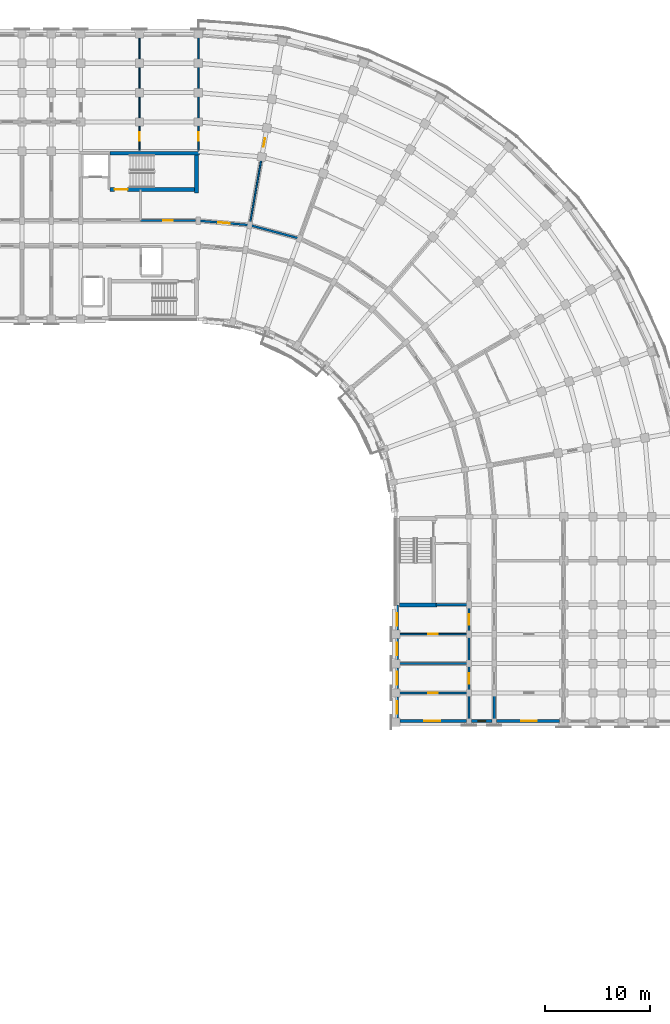
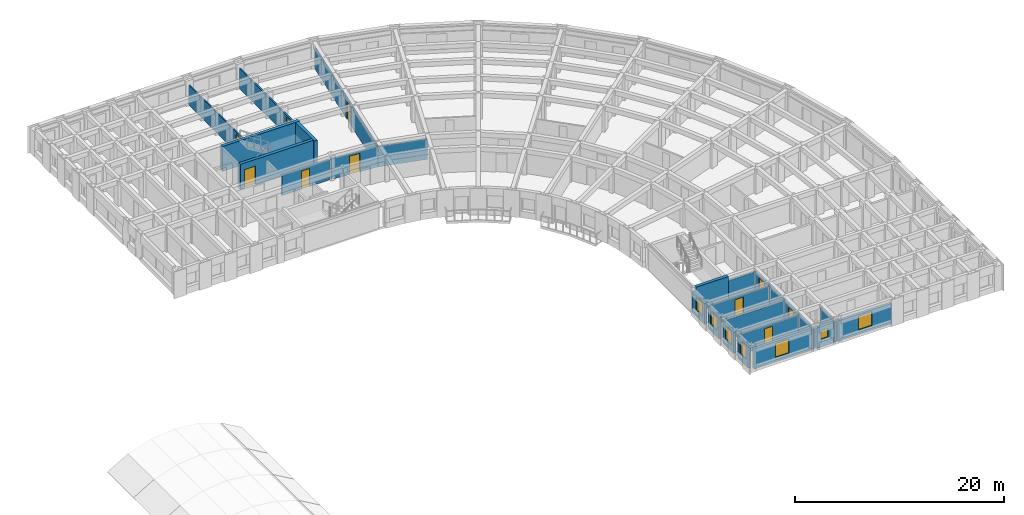
# One storey, part 30 of 54: 26 walls, 10 doors, 7 windows, 17 openings.
"""IFC4 building model written with IfcOpenShell, lengths in metres."""

from ifc_helpers import new_model, si_unit, direction, frame, frame_2d, origin, place, context, subcontext, project, spatial, rectangle, extrude, material, layer, layer_set, type_object, element, fill, save


model = new_model("IFC4")

# Units and contexts
model_context = context("Model", 3, precision=1e-05, world=origin(), true_north=direction((0.0, 1.0)))
body_context = subcontext(model_context, "Body", "Model", "MODEL_VIEW")
ifc_project = project(units=[si_unit("LENGTHUNIT", "METRE"), si_unit("AREAUNIT", "SQUARE_METRE"), si_unit("VOLUMEUNIT", "CUBIC_METRE"), si_unit("PLANEANGLEUNIT", "RADIAN"), si_unit("MASSUNIT", "GRAM", prefix="KILO")], contexts=[model_context])

# Site, building, storey
site_placement = place(None, origin())
site = spatial("IfcSite", under=ifc_project, at=site_placement, CompositionType="ELEMENT")
building_placement = place(site_placement, origin())
building = spatial("IfcBuilding", under=site, at=building_placement, Name="Kiranvali Square Residences", CompositionType="ELEMENT")
storey_placement = place(building_placement, frame((0.0, 0.0, 15.0)))
storey = spatial("IfcBuildingStorey", under=building, at=storey_placement, Name="L04", CompositionType="ELEMENT", Elevation=15.0)

# Wall, opening, door
ifc_material_1 = material(Name="Autoclaved aerated concrete blockwork masonry", Category="masonry")
ifc_layer_1 = layer(ifc_material_1, 0.199951171875)
ifc_layer_set_1 = layer_set([ifc_layer_1], Name="Autoclaved aerated concrete blockwork masonry")
wall_type_1 = type_object("IfcWallType", Name="WL-COR-200", PredefinedType="STANDARD", material=ifc_layer_set_1)
wall_1_placement = place(storey_placement, frame((119.800048828125, 116.0, 0.0), z_axis=(0.0, 0.0, 1.0), x_axis=(0.996193663584, -0.087167566415, 0.0)))
wall_1 = element("IfcWall", 1, at=wall_1_placement, inside=storey, type_object=wall_type_1, Name="L04 architectural wall WL-L04-B-CCO-0", PredefinedType="STANDARD", context=body_context, shape_type="SweptSolid", body=[
    extrude(rectangle(XDim=4.91552734375, YDim=0.199951171875, at=frame_2d((2.457763671875, 0.0))), origin(), (0.0, 0.0, 1.0), 2.3720703125),
])
opening_1_placement = place(wall_1_placement, frame((1.917724609375, 0.0, 0.0)))
opening_1 = element("IfcOpeningElement", 2, at=opening_1_placement, cuts=wall_1, Name="Opening FD-APT-60C", PredefinedType="OPENING", context=body_context, shape_type="SweptSolid", body=[
    extrude(rectangle(XDim=1.080078125, YDim=2.14990234375, at=frame_2d((0.5400390625, 1.074951171875))), frame((0.0, 0.10986328125, 0.0), z_axis=(0.0, -1.0, 0.0), x_axis=(1.0, 0.0, 0.0)), (0.0, 0.0, 1.0), 0.219970703125),
])
ifc_material_2 = material(Name="Fire-rated acoustic hardwood and mineral-core door assembly", Category="wood")
door_type_1 = type_object("IfcDoorType", Name="DR-APT-1080", OperationType="NOTDEFINED", PredefinedType="DOOR", material=ifc_material_2)
door_1_placement = place(opening_1_placement, frame((1.080078125, 0.0, 0.0), z_axis=(0.0, 0.0, 1.0), x_axis=(-1.0, 0.0, 0.0)))
door_1 = element("IfcDoor", 3, at=door_1_placement, inside=storey, type_object=door_type_1, Name="L04 door DR-L04-1228 (DR-APT-1080)", OperationType="SINGLE_SWING_RIGHT", OverallHeight=2.14990234375, OverallWidth=1.080078125, PredefinedType="DOOR", context=body_context, shape_type="SweptSolid", body=[
    extrude(rectangle(XDim=1.080078125, YDim=2.14990234375, at=frame_2d((0.5400390625, 1.074951171875))), frame((0.0, 0.02490234375, 0.0), z_axis=(0.0, -1.0, 0.0), x_axis=(1.0, 0.0, 0.0)), (0.0, 0.0, 1.0), 0.050048828125),
])
fill(opening_1, door_1)

# Wall
wall_2_placement = place(storey_placement, frame((124.69677734375, 115.571533203125, 0.0), z_axis=(0.0, 0.0, 1.0), x_axis=(0.965930095386, -0.258803112091, 0.0)))
element("IfcWall", 4, at=wall_2_placement, inside=storey, type_object=wall_type_1, Name="L04 architectural wall WL-L04-B-CCO-1", PredefinedType="STANDARD", context=body_context, shape_type="SweptSolid", body=[
    extrude(rectangle(XDim=4.915771484375, YDim=0.199951171875, at=frame_2d((2.4580078125, 0.0))), origin(), (0.0, 0.0, 1.0), 2.3720703125),
])

# Wall, opening, door
wall_3_placement = place(storey_placement, frame((145.60009765625, 79.39990234375, 0.0), z_axis=(0.0, 0.0, 1.0), x_axis=(0.0, -1.0, 0.0)))
wall_3 = element("IfcWall", 5, at=wall_3_placement, inside=storey, type_object=wall_type_1, Name="L04 architectural wall WL-L04-B-A2CI-0", PredefinedType="STANDARD", context=body_context, shape_type="SweptSolid", body=[
    extrude(rectangle(XDim=2.7998046875, YDim=0.199951171875, at=frame_2d((1.39990234375, 0.0))), origin(), (0.0, 0.0, 1.0), 2.3720703125),
])
opening_2_placement = place(wall_3_placement, frame((0.89990234375, 0.0, 0.0)))
opening_2 = element("IfcOpeningElement", 6, at=opening_2_placement, cuts=wall_3, Name="Opening FD-APT-60", PredefinedType="OPENING", context=body_context, shape_type="SweptSolid", body=[
    extrude(rectangle(XDim=1.0, YDim=2.14990234375, at=frame_2d((0.5, 1.074951171875))), frame((0.0, 0.10986328125, 0.0), z_axis=(0.0, -1.0, 0.0), x_axis=(1.0, 0.0, 0.0)), (0.0, 0.0, 1.0), 0.219970703125),
])
door_type_2 = type_object("IfcDoorType", Name="DR-APT-1000", OperationType="NOTDEFINED", PredefinedType="DOOR", material=ifc_material_2)
door_2_placement = place(opening_2_placement, origin())
door_2 = element("IfcDoor", 7, at=door_2_placement, inside=storey, type_object=door_type_2, Name="L04 door DR-L04-1243 (DR-APT-1000)", OperationType="SINGLE_SWING_LEFT", OverallHeight=2.14990234375, OverallWidth=1.0, PredefinedType="DOOR", context=body_context, shape_type="SweptSolid", body=[
    extrude(rectangle(XDim=1.0, YDim=2.14990234375, at=frame_2d((0.5, 1.074951171875))), frame((0.0, 0.02490234375, 0.0), z_axis=(0.0, -1.0, 0.0), x_axis=(1.0, 0.0, 0.0)), (0.0, 0.0, 1.0), 0.050048828125),
])
fill(opening_2, door_2)

# Wall
wall_4_placement = place(storey_placement, frame((145.60009765625, 76.60009765625, 0.0), z_axis=(0.0, 0.0, 1.0), x_axis=(0.0, -1.0, 0.0)))
element("IfcWall", 8, at=wall_4_placement, inside=storey, type_object=wall_type_1, Name="L04 architectural wall WL-L04-B-A2CI-1", PredefinedType="STANDARD", context=body_context, shape_type="SweptSolid", body=[
    extrude(rectangle(XDim=2.800048828125, YDim=0.199951171875, at=frame_2d((1.39990234375, 0.0))), origin(), (0.0, 0.0, 1.0), 2.3720703125),
])

# Wall, opening, door
wall_5_placement = place(storey_placement, frame((145.60009765625, 73.800048828125, 0.0), z_axis=(0.0, 0.0, 1.0), x_axis=(0.0, -1.0, 0.0)))
wall_5 = element("IfcWall", 9, at=wall_5_placement, inside=storey, type_object=wall_type_1, Name="L04 architectural wall WL-L04-B-A2CI-2", PredefinedType="STANDARD", context=body_context, shape_type="SweptSolid", body=[
    extrude(rectangle(XDim=2.800048828125, YDim=0.199951171875, at=frame_2d((1.39990234375, 0.0))), origin(), (0.0, 0.0, 1.0), 2.3720703125),
])
opening_3_placement = place(wall_5_placement, frame((0.89990234375, 0.0, 0.0)))
opening_3 = element("IfcOpeningElement", 10, at=opening_3_placement, cuts=wall_5, Name="Opening FD-APT-60", PredefinedType="OPENING", context=body_context, shape_type="SweptSolid", body=[
    extrude(rectangle(XDim=1.0, YDim=2.14990234375, at=frame_2d((0.5, 1.074951171875))), frame((0.0, 0.10986328125, 0.0), z_axis=(0.0, -1.0, 0.0), x_axis=(1.0, 0.0, 0.0)), (0.0, 0.0, 1.0), 0.219970703125),
])
door_3_placement = place(opening_3_placement, origin())
door_3 = element("IfcDoor", 11, at=door_3_placement, inside=storey, type_object=door_type_2, Name="L04 door DR-L04-1249 (DR-APT-1000)", OperationType="SINGLE_SWING_LEFT", OverallHeight=2.14990234375, OverallWidth=1.0, PredefinedType="DOOR", context=body_context, shape_type="SweptSolid", body=[
    extrude(rectangle(XDim=1.0, YDim=2.14990234375, at=frame_2d((0.5, 1.074951171875))), frame((0.0, 0.02490234375, 0.0), z_axis=(0.0, -1.0, 0.0), x_axis=(1.0, 0.0, 0.0)), (0.0, 0.0, 1.0), 0.050048828125),
])
fill(opening_3, door_3)

# Walls
for number, where, z_axis, x_axis, name in (
    (12, (145.60009765625, 71.0, 0.0), (0.0, 0.0, 1.0), (0.0, -1.0, 0.0), "L04 architectural wall WL-L04-B-A2CI-3"),
    (13, (148.0, 71.0, 0.0), (0.0, 0.0, 1.0), (0.0, -1.0, 0.0), "L04 architectural wall WL-L04-B-A2CO-3"),
):
    element("IfcWall", number, at=place(storey_placement, frame(where, z_axis=z_axis, x_axis=x_axis)), inside=storey, type_object=wall_type_1, Name=name, PredefinedType="STANDARD", context=body_context, shape_type="SweptSolid", body=[
        extrude(rectangle(XDim=2.800048828125, YDim=0.199951171875, at=frame_2d((1.39990234375, 0.0))), origin(), (0.0, 0.0, 1.0), 2.3720703125),
    ])
ifc_layer_2 = layer(ifc_material_1, 0.219970703125)
ifc_layer_set_2 = layer_set([ifc_layer_2], Name="Autoclaved aerated concrete blockwork masonry")
wall_type_2 = type_object("IfcWallType", Name="WL-DEM-220", PredefinedType="STANDARD", material=ifc_layer_set_2)
wall_6_placement = place(storey_placement, frame((142.449951171875, 79.39990234375, 0.0), z_axis=(0.0, 0.0, 1.0), x_axis=(1.0, 0.0, 0.0)))
element("IfcWall", 14, at=wall_6_placement, inside=storey, type_object=wall_type_2, Name="L04 architectural wall WL-L04-B-A2TI-0", PredefinedType="STANDARD", context=body_context, shape_type="SweptSolid", body=[
    extrude(rectangle(XDim=3.10009765625, YDim=0.219970703125, at=frame_2d((1.550048828125, 0.0))), origin(), (0.0, 0.0, 1.0), 2.3720703125),
])
wall_7_placement = place(storey_placement, frame((138.800048828125, 73.800048828125, 0.0), z_axis=(0.0, 0.0, 1.0), x_axis=(1.0, 0.0, 0.0)))
element("IfcWall", 15, at=wall_7_placement, inside=storey, type_object=wall_type_2, Name="L04 architectural wall WL-L04-B-A2TI-2", PredefinedType="STANDARD", context=body_context, shape_type="SweptSolid", body=[
    extrude(rectangle(XDim=6.75, YDim=0.219970703125, at=frame_2d((3.375, 0.0))), origin(), (0.0, 0.0, 1.0), 2.3720703125),
])

# Wall, opening, window
ifc_material_3 = material(Name="Breathable lime-rendered clay brick masonry", Category="masonry")
ifc_layer_3 = layer(ifc_material_3, 0.27490234375)
ifc_layer_set_3 = layer_set([ifc_layer_3], Name="Breathable lime-rendered clay brick masonry")
wall_type_3 = type_object("IfcWallType", Name="WL-EXT-275", PredefinedType="STANDARD", material=ifc_layer_set_3)
wall_8_placement = place(storey_placement, frame((138.72509765625, 79.37158203125, 0.0), z_axis=(0.0, 0.0, 1.0), x_axis=(0.0, -1.0, 0.0)))
wall_8 = element("IfcWall", 16, at=wall_8_placement, inside=storey, type_object=wall_type_3, Name="L04 exterior wall B-L04-A2I-0", PredefinedType="STANDARD", context=body_context, shape_type="SweptSolid", body=[
    extrude(rectangle(XDim=2.3681640625, YDim=0.27490234375, at=frame_2d((1.18408203125, 0.0))), origin(), (0.0, 0.0, 1.0), 2.471923828125),
])
opening_4_placement = place(wall_8_placement, frame((0.771484375, 0.0, 0.77197265625)))
opening_4 = element("IfcOpeningElement", 17, at=opening_4_placement, cuts=wall_8, Name="Opening W-06", PredefinedType="OPENING", context=body_context, shape_type="SweptSolid", body=[
    extrude(rectangle(XDim=1.199951171875, YDim=1.5, at=frame_2d((0.60009765625, 0.75))), frame((0.0, 0.1474609375, 0.0), z_axis=(0.0, -1.0, 0.0), x_axis=(1.0, 0.0, 0.0)), (0.0, 0.0, 1.0), 0.294921875),
])
ifc_material_4 = material(Name="Solar-control low-e double glazing", Category="glass")
window_type_1 = type_object("IfcWindowType", Name="WIN-RES-1200x1500", PartitioningType="SINGLE_PANEL", PredefinedType="WINDOW", material=ifc_material_4)
window_1_placement = place(opening_4_placement, origin())
window_1 = element("IfcWindow", 18, at=window_1_placement, inside=storey, type_object=window_type_1, Name="L04 recessed window B-L04-A2I-0", OverallHeight=1.5, OverallWidth=1.199951171875, PartitioningType="SINGLE_PANEL", PredefinedType="WINDOW", context=body_context, shape_type="SweptSolid", body=[
    extrude(rectangle(XDim=1.199951171875, YDim=1.5, at=frame_2d((0.60009765625, 0.75))), frame((0.0, 0.030029296875, 0.0), z_axis=(0.0, -1.0, 0.0), x_axis=(1.0, 0.0, 0.0)), (0.0, 0.0, 1.0), 0.06005859375),
])
fill(opening_4, window_1)

wall_9_placement = place(storey_placement, frame((138.72509765625, 76.196533203125, 0.0), z_axis=(0.0, 0.0, 1.0), x_axis=(0.0, -1.0, 0.0)))
wall_9 = element("IfcWall", 19, at=wall_9_placement, inside=storey, type_object=wall_type_3, Name="L04 exterior wall B-L04-A2I-1", PredefinedType="STANDARD", context=body_context, shape_type="SweptSolid", body=[
    extrude(rectangle(XDim=1.992919921875, YDim=0.27490234375, at=frame_2d((0.99658203125, 0.0))), origin(), (0.0, 0.0, 1.0), 2.471923828125),
])
opening_5_placement = place(wall_9_placement, frame((0.396484375, 0.0, 0.77197265625)))
opening_5 = element("IfcOpeningElement", 20, at=opening_5_placement, cuts=wall_9, Name="Opening W-06", PredefinedType="OPENING", context=body_context, shape_type="SweptSolid", body=[
    extrude(rectangle(XDim=1.199951171875, YDim=1.5, at=frame_2d((0.60009765625, 0.75))), frame((0.0, 0.1474609375, 0.0), z_axis=(0.0, -1.0, 0.0), x_axis=(1.0, 0.0, 0.0)), (0.0, 0.0, 1.0), 0.294921875),
])
window_2_placement = place(opening_5_placement, origin())
window_2 = element("IfcWindow", 21, at=window_2_placement, inside=storey, type_object=window_type_1, Name="L04 recessed window B-L04-A2I-1", OverallHeight=1.5, OverallWidth=1.199951171875, PartitioningType="SINGLE_PANEL", PredefinedType="WINDOW", context=body_context, shape_type="SweptSolid", body=[
    extrude(rectangle(XDim=1.199951171875, YDim=1.5, at=frame_2d((0.60009765625, 0.75))), frame((0.0, 0.030029296875, 0.0), z_axis=(0.0, -1.0, 0.0), x_axis=(1.0, 0.0, 0.0)), (0.0, 0.0, 1.0), 0.06005859375),
])
fill(opening_5, window_2)

wall_10_placement = place(storey_placement, frame((138.72509765625, 73.396484375, 0.0), z_axis=(0.0, 0.0, 1.0), x_axis=(0.0, -1.0, 0.0)))
wall_10 = element("IfcWall", 22, at=wall_10_placement, inside=storey, type_object=wall_type_3, Name="L04 exterior wall B-L04-A2I-2", PredefinedType="STANDARD", context=body_context, shape_type="SweptSolid", body=[
    extrude(rectangle(XDim=1.992919921875, YDim=0.27490234375, at=frame_2d((0.99658203125, 0.0))), origin(), (0.0, 0.0, 1.0), 2.471923828125),
])
opening_6_placement = place(wall_10_placement, frame((0.396484375, 0.0, 0.77197265625)))
opening_6 = element("IfcOpeningElement", 23, at=opening_6_placement, cuts=wall_10, Name="Opening W-06", PredefinedType="OPENING", context=body_context, shape_type="SweptSolid", body=[
    extrude(rectangle(XDim=1.199951171875, YDim=1.5, at=frame_2d((0.60009765625, 0.75))), frame((0.0, 0.1474609375, 0.0), z_axis=(0.0, -1.0, 0.0), x_axis=(1.0, 0.0, 0.0)), (0.0, 0.0, 1.0), 0.294921875),
])
window_3_placement = place(opening_6_placement, origin())
window_3 = element("IfcWindow", 24, at=window_3_placement, inside=storey, type_object=window_type_1, Name="L04 recessed window B-L04-A2I-2", OverallHeight=1.5, OverallWidth=1.199951171875, PartitioningType="SINGLE_PANEL", PredefinedType="WINDOW", context=body_context, shape_type="SweptSolid", body=[
    extrude(rectangle(XDim=1.199951171875, YDim=1.5, at=frame_2d((0.60009765625, 0.75))), frame((0.0, 0.030029296875, 0.0), z_axis=(0.0, -1.0, 0.0), x_axis=(1.0, 0.0, 0.0)), (0.0, 0.0, 1.0), 0.06005859375),
])
fill(opening_6, window_3)

wall_11_placement = place(storey_placement, frame((138.72509765625, 70.596435546875, 0.0), z_axis=(0.0, 0.0, 1.0), x_axis=(0.0, -1.0, 0.0)))
wall_11 = element("IfcWall", 25, at=wall_11_placement, inside=storey, type_object=wall_type_3, Name="L04 exterior wall B-L04-A2I-3", PredefinedType="STANDARD", context=body_context, shape_type="SweptSolid", body=[
    extrude(rectangle(XDim=1.992919921875, YDim=0.27490234375, at=frame_2d((0.99658203125, 0.0))), origin(), (0.0, 0.0, 1.0), 2.471923828125),
])
opening_7_placement = place(wall_11_placement, frame((0.396484375, 0.0, 0.77197265625)))
opening_7 = element("IfcOpeningElement", 26, at=opening_7_placement, cuts=wall_11, Name="Opening W-06", PredefinedType="OPENING", context=body_context, shape_type="SweptSolid", body=[
    extrude(rectangle(XDim=1.199951171875, YDim=1.5, at=frame_2d((0.60009765625, 0.75))), frame((0.0, 0.1474609375, 0.0), z_axis=(0.0, -1.0, 0.0), x_axis=(1.0, 0.0, 0.0)), (0.0, 0.0, 1.0), 0.294921875),
])
window_4_placement = place(opening_7_placement, origin())
window_4 = element("IfcWindow", 27, at=window_4_placement, inside=storey, type_object=window_type_1, Name="L04 recessed window B-L04-A2I-3", OverallHeight=1.5, OverallWidth=1.199951171875, PartitioningType="SINGLE_PANEL", PredefinedType="WINDOW", context=body_context, shape_type="SweptSolid", body=[
    extrude(rectangle(XDim=1.199951171875, YDim=1.5, at=frame_2d((0.60009765625, 0.75))), frame((0.0, 0.030029296875, 0.0), z_axis=(0.0, -1.0, 0.0), x_axis=(1.0, 0.0, 0.0)), (0.0, 0.0, 1.0), 0.06005859375),
])
fill(opening_7, window_4)

wall_12_placement = place(storey_placement, frame((139.00341796875, 68.324951171875, 0.0), z_axis=(0.0, 0.0, 1.0), x_axis=(1.0, 0.0, 0.0)))
wall_12 = element("IfcWall", 28, at=wall_12_placement, inside=storey, type_object=wall_type_3, Name="L04 exterior wall B-L04-A2END-0", PredefinedType="STANDARD", context=body_context, shape_type="SweptSolid", body=[
    extrude(rectangle(XDim=6.3681640625, YDim=0.27490234375, at=frame_2d((3.18408203125, 0.0))), origin(), (0.0, 0.0, 1.0), 2.3720703125),
])
opening_8_placement = place(wall_12_placement, frame((2.346435546875, 0.0, 0.52197265625)))
opening_8 = element("IfcOpeningElement", 29, at=opening_8_placement, cuts=wall_12, Name="Opening W-05", PredefinedType="OPENING", context=body_context, shape_type="SweptSolid", body=[
    extrude(rectangle(XDim=1.5, YDim=1.64990234375, at=frame_2d((0.75, 0.824951171875))), frame((0.0, 0.1474609375, 0.0), z_axis=(0.0, -1.0, 0.0), x_axis=(1.0, 0.0, 0.0)), (0.0, 0.0, 1.0), 0.294921875),
])
window_type_2 = type_object("IfcWindowType", Name="WIN-RES-1500x1650", PartitioningType="DOUBLE_PANEL_VERTICAL", PredefinedType="WINDOW", material=ifc_material_4)
window_5_placement = place(opening_8_placement, origin())
window_5 = element("IfcWindow", 30, at=window_5_placement, inside=storey, type_object=window_type_2, Name="L04 recessed window B-L04-A2END-0", OverallHeight=1.64990234375, OverallWidth=1.5, PartitioningType="DOUBLE_PANEL_VERTICAL", PredefinedType="WINDOW", context=body_context, shape_type="SweptSolid", body=[
    extrude(rectangle(XDim=1.5, YDim=1.64990234375, at=frame_2d((0.75, 0.824951171875))), frame((0.0, 0.030029296875, 0.0), z_axis=(0.0, -1.0, 0.0), x_axis=(1.0, 0.0, 0.0)), (0.0, 0.0, 1.0), 0.06005859375),
])
fill(opening_8, window_5)

wall_13_placement = place(storey_placement, frame((145.82861328125, 68.324951171875, 0.0), z_axis=(0.0, 0.0, 1.0), x_axis=(1.0, 0.0, 0.0)))
wall_13 = element("IfcWall", 31, at=wall_13_placement, inside=storey, type_object=wall_type_3, Name="L04 exterior wall B-L04-A2END-1", PredefinedType="STANDARD", context=body_context, shape_type="SweptSolid", body=[
    extrude(rectangle(XDim=1.94287109375, YDim=0.27490234375, at=frame_2d((0.971435546875, 0.0))), origin(), (0.0, 0.0, 1.0), 2.3720703125),
])
opening_9_placement = place(wall_13_placement, frame((0.596435546875, 0.0, 0.8798828125)))
opening_9 = element("IfcOpeningElement", 32, at=opening_9_placement, cuts=wall_13, Name="Opening W-07", PredefinedType="OPENING", context=body_context, shape_type="SweptSolid", body=[
    extrude(rectangle(XDim=0.75, YDim=1.050048828125, at=frame_2d((0.375, 0.52490234375))), frame((0.0, 0.1474609375, 0.0), z_axis=(0.0, -1.0, 0.0), x_axis=(1.0, 0.0, 0.0)), (0.0, 0.0, 1.0), 0.294921875),
])
window_type_3 = type_object("IfcWindowType", Name="WIN-WET-750x1050", PartitioningType="SINGLE_PANEL", PredefinedType="WINDOW", material=ifc_material_4)
window_6_placement = place(opening_9_placement, origin())
window_6 = element("IfcWindow", 33, at=window_6_placement, inside=storey, type_object=window_type_3, Name="L04 recessed window B-L04-A2END-1", OverallHeight=1.050048828125, OverallWidth=0.75, PartitioningType="SINGLE_PANEL", PredefinedType="WINDOW", context=body_context, shape_type="SweptSolid", body=[
    extrude(rectangle(XDim=0.75, YDim=1.050048828125, at=frame_2d((0.375, 0.52490234375))), frame((0.0, 0.030029296875, 0.0), z_axis=(0.0, -1.0, 0.0), x_axis=(1.0, 0.0, 0.0)), (0.0, 0.0, 1.0), 0.06005859375),
])
fill(opening_9, window_6)

wall_14_placement = place(storey_placement, frame((148.228515625, 68.324951171875, 0.0), z_axis=(0.0, 0.0, 1.0), x_axis=(1.0, 0.0, 0.0)))
wall_14 = element("IfcWall", 34, at=wall_14_placement, inside=storey, type_object=wall_type_3, Name="L04 exterior wall B-L04-A2END-2", PredefinedType="STANDARD", context=body_context, shape_type="SweptSolid", body=[
    extrude(rectangle(XDim=5.968017578125, YDim=0.27490234375, at=frame_2d((2.98388671875, 0.0))), origin(), (0.0, 0.0, 1.0), 2.3720703125),
])
opening_10_placement = place(wall_14_placement, frame((2.321533203125, 0.0, 0.52197265625)))
opening_10 = element("IfcOpeningElement", 35, at=opening_10_placement, cuts=wall_14, Name="Opening W-05", PredefinedType="OPENING", context=body_context, shape_type="SweptSolid", body=[
    extrude(rectangle(XDim=1.5, YDim=1.64990234375, at=frame_2d((0.75, 0.824951171875))), frame((0.0, 0.1474609375, 0.0), z_axis=(0.0, -1.0, 0.0), x_axis=(1.0, 0.0, 0.0)), (0.0, 0.0, 1.0), 0.294921875),
])
window_7_placement = place(opening_10_placement, origin())
window_7 = element("IfcWindow", 36, at=window_7_placement, inside=storey, type_object=window_type_2, Name="L04 recessed window B-L04-A2END-2", OverallHeight=1.64990234375, OverallWidth=1.5, PartitioningType="DOUBLE_PANEL_VERTICAL", PredefinedType="WINDOW", context=body_context, shape_type="SweptSolid", body=[
    extrude(rectangle(XDim=1.5, YDim=1.64990234375, at=frame_2d((0.75, 0.824951171875))), frame((0.0, 0.030029296875, 0.0), z_axis=(0.0, -1.0, 0.0), x_axis=(1.0, 0.0, 0.0)), (0.0, 0.0, 1.0), 0.06005859375),
])
fill(opening_10, window_7)

# Wall, opening, door
ifc_material_5 = material(Name="Acoustic gypsum board drylined partition", Category="gypsum")
ifc_layer_4 = layer(ifc_material_5, 0.125)
ifc_layer_set_4 = layer_set([ifc_layer_4], Name="Acoustic gypsum board drylined partition")
wall_type_4 = type_object("IfcWallType", Name="WL-PRT-125", PredefinedType="PARTITIONING", material=ifc_layer_set_4)
wall_15_placement = place(storey_placement, frame((114.199951171875, 122.699951171875, 0.0), z_axis=(0.0, 0.0, 1.0), x_axis=(0.0, 1.0, 0.0)))
wall_15 = element("IfcWall", 37, at=wall_15_placement, inside=storey, type_object=wall_type_4, Name="L04 architectural wall WL-L04-B-CF-MID", PredefinedType="PARTITIONING", context=body_context, shape_type="SweptSolid", body=[
    extrude(rectangle(XDim=10.820068359375, YDim=0.125, at=frame_2d((5.41015625, 0.0))), origin(), (0.0, 0.0, 1.0), 2.3720703125),
])
opening_11_placement = place(wall_15_placement, frame((0.8994140625, 0.0, 0.0)))
opening_11 = element("IfcOpeningElement", 38, at=opening_11_placement, cuts=wall_15, Name="Opening ID-WET", PredefinedType="OPENING", context=body_context, shape_type="SweptSolid", body=[
    extrude(rectangle(XDim=0.800048828125, YDim=2.10009765625, at=frame_2d((0.39990234375, 1.050048828125))), frame((0.0, 0.072509765625, 0.0), z_axis=(0.0, -1.0, 0.0), x_axis=(1.0, 0.0, 0.0)), (0.0, 0.0, 1.0), 0.14501953125),
])
ifc_material_6 = material(Name="Solid seasoned teak hardwood joinery", Category="wood")
door_type_3 = type_object("IfcDoorType", Name="DR-WET-800", OperationType="NOTDEFINED", PredefinedType="DOOR", material=ifc_material_6)
door_4_placement = place(opening_11_placement, frame((0.800048828125, 0.0, 0.0), z_axis=(0.0, 0.0, 1.0), x_axis=(-1.0, 0.0, 0.0)))
door_4 = element("IfcDoor", 39, at=door_4_placement, inside=storey, type_object=door_type_3, Name="L04 door DR-L04-1206 (DR-WET-800)", OperationType="SINGLE_SWING_RIGHT", OverallHeight=2.10009765625, OverallWidth=0.800048828125, PredefinedType="DOOR", context=body_context, shape_type="SweptSolid", body=[
    extrude(rectangle(XDim=0.800048828125, YDim=2.10009765625, at=frame_2d((0.39990234375, 1.050048828125))), frame((0.0, 0.02490234375, 0.0), z_axis=(0.0, -1.0, 0.0), x_axis=(1.0, 0.0, 0.0)), (0.0, 0.0, 1.0), 0.050048828125),
])
fill(opening_11, door_4)

ifc_layer_5 = layer(ifc_material_5, 0.14990234375)
ifc_layer_set_5 = layer_set([ifc_layer_5], Name="Acoustic gypsum board drylined partition")
wall_type_5 = type_object("IfcWallType", Name="WL-PRT-150", PredefinedType="PARTITIONING", material=ifc_layer_set_5)
wall_16_placement = place(storey_placement, frame((119.800048828125, 122.699951171875, 0.0), z_axis=(0.0, 0.0, 1.0), x_axis=(0.0, 1.0, 0.0)))
wall_16 = element("IfcWall", 40, at=wall_16_placement, inside=storey, type_object=wall_type_5, Name="L04 architectural wall WL-L04-B-RADO-0", PredefinedType="PARTITIONING", context=body_context, shape_type="SweptSolid", body=[
    extrude(rectangle(XDim=10.820068359375, YDim=0.14990234375, at=frame_2d((5.41015625, 0.0))), origin(), (0.0, 0.0, 1.0), 2.3720703125),
])
opening_12_placement = place(wall_16_placement, frame((0.8994140625, 0.0, 0.0)))
opening_12 = element("IfcOpeningElement", 41, at=opening_12_placement, cuts=wall_16, Name="Opening ID-WET", PredefinedType="OPENING", context=body_context, shape_type="SweptSolid", body=[
    extrude(rectangle(XDim=0.800048828125, YDim=2.10009765625, at=frame_2d((0.39990234375, 1.050048828125))), frame((0.0, 0.0849609375, 0.0), z_axis=(0.0, -1.0, 0.0), x_axis=(1.0, 0.0, 0.0)), (0.0, 0.0, 1.0), 0.169921875),
])
door_5_placement = place(opening_12_placement, frame((0.800048828125, 0.0, 0.0), z_axis=(0.0, 0.0, 1.0), x_axis=(-1.0, 0.0, 0.0)))
door_5 = element("IfcDoor", 42, at=door_5_placement, inside=storey, type_object=door_type_3, Name="L04 door DR-L04-1222 (DR-WET-800)", OperationType="SINGLE_SWING_RIGHT", OverallHeight=2.10009765625, OverallWidth=0.800048828125, PredefinedType="DOOR", context=body_context, shape_type="SweptSolid", body=[
    extrude(rectangle(XDim=0.800048828125, YDim=2.10009765625, at=frame_2d((0.39990234375, 1.050048828125))), frame((0.0, 0.02490234375, 0.0), z_axis=(0.0, -1.0, 0.0), x_axis=(1.0, 0.0, 0.0)), (0.0, 0.0, 1.0), 0.050048828125),
])
fill(opening_12, door_5)

wall_17_placement = place(storey_placement, frame((124.71435546875, 115.670166015625, 0.0), z_axis=(0.0, 0.0, 1.0), x_axis=(0.173646216546, 0.984808098809, 0.0)))
wall_17 = element("IfcWall", 43, at=wall_17_placement, inside=storey, type_object=wall_type_5, Name="L04 architectural wall WL-L04-B-RADO-1", PredefinedType="PARTITIONING", context=body_context, shape_type="SweptSolid", body=[
    extrude(rectangle(XDim=17.419921875, YDim=0.14990234375, at=frame_2d((8.7099609375, 0.0))), origin(), (0.0, 0.0, 1.0), 2.3720703125),
])
opening_13_placement = place(wall_17_placement, frame((7.5, 0.0, 0.0)))
opening_13 = element("IfcOpeningElement", 44, at=opening_13_placement, cuts=wall_17, Name="Opening ID-WET", PredefinedType="OPENING", context=body_context, shape_type="SweptSolid", body=[
    extrude(rectangle(XDim=0.800048828125, YDim=2.10009765625, at=frame_2d((0.39990234375, 1.050048828125))), frame((0.0, 0.0849609375, 0.0), z_axis=(0.0, -1.0, 0.0), x_axis=(1.0, 0.0, 0.0)), (0.0, 0.0, 1.0), 0.169921875),
])
door_6_placement = place(opening_13_placement, origin())
door_6 = element("IfcDoor", 45, at=door_6_placement, inside=storey, type_object=door_type_3, Name="L04 door DR-L04-1223 (DR-WET-800)", OperationType="SINGLE_SWING_LEFT", OverallHeight=2.10009765625, OverallWidth=0.800048828125, PredefinedType="DOOR", context=body_context, shape_type="SweptSolid", body=[
    extrude(rectangle(XDim=0.800048828125, YDim=2.10009765625, at=frame_2d((0.39990234375, 1.050048828125))), frame((0.0, 0.02490234375, 0.0), z_axis=(0.0, -1.0, 0.0), x_axis=(1.0, 0.0, 0.0)), (0.0, 0.0, 1.0), 0.050048828125),
])
fill(opening_13, door_6)

wall_18_placement = place(storey_placement, frame((138.800048828125, 76.60009765625, 0.0), z_axis=(0.0, 0.0, 1.0), x_axis=(1.0, 0.0, 0.0)))
wall_18 = element("IfcWall", 46, at=wall_18_placement, inside=storey, type_object=wall_type_5, Name="L04 architectural wall WL-L04-B-A2TI-1", PredefinedType="PARTITIONING", context=body_context, shape_type="SweptSolid", body=[
    extrude(rectangle(XDim=6.75, YDim=0.14990234375, at=frame_2d((3.375, 0.0))), origin(), (0.0, 0.0, 1.0), 2.3720703125),
])
opening_14_placement = place(wall_18_placement, frame((2.925048828125, 0.0, 0.0)))
opening_14 = element("IfcOpeningElement", 47, at=opening_14_placement, cuts=wall_18, Name="Opening ID-1", PredefinedType="OPENING", context=body_context, shape_type="SweptSolid", body=[
    extrude(rectangle(XDim=0.89990234375, YDim=2.10009765625, at=frame_2d((0.449951171875, 1.050048828125))), frame((0.0, 0.0849609375, 0.0), z_axis=(0.0, -1.0, 0.0), x_axis=(1.0, 0.0, 0.0)), (0.0, 0.0, 1.0), 0.169921875),
])
door_type_4 = type_object("IfcDoorType", Name="DR-INT-900", OperationType="NOTDEFINED", PredefinedType="DOOR", material=ifc_material_6)
door_7_placement = place(opening_14_placement, origin())
door_7 = element("IfcDoor", 48, at=door_7_placement, inside=storey, type_object=door_type_4, Name="L04 door DR-L04-1247 (DR-INT-900)", OperationType="SINGLE_SWING_LEFT", OverallHeight=2.10009765625, OverallWidth=0.89990234375, PredefinedType="DOOR", context=body_context, shape_type="SweptSolid", body=[
    extrude(rectangle(XDim=0.89990234375, YDim=2.10009765625, at=frame_2d((0.449951171875, 1.050048828125))), frame((0.0, 0.02490234375, 0.0), z_axis=(0.0, -1.0, 0.0), x_axis=(1.0, 0.0, 0.0)), (0.0, 0.0, 1.0), 0.050048828125),
])
fill(opening_14, door_7)

wall_19_placement = place(storey_placement, frame((138.800048828125, 71.0, 0.0), z_axis=(0.0, 0.0, 1.0), x_axis=(1.0, 0.0, 0.0)))
wall_19 = element("IfcWall", 49, at=wall_19_placement, inside=storey, type_object=wall_type_5, Name="L04 architectural wall WL-L04-B-A2TI-3", PredefinedType="PARTITIONING", context=body_context, shape_type="SweptSolid", body=[
    extrude(rectangle(XDim=6.75, YDim=0.14990234375, at=frame_2d((3.375, 0.0))), origin(), (0.0, 0.0, 1.0), 2.3720703125),
])
opening_15_placement = place(wall_19_placement, frame((2.925048828125, 0.0, 0.0)))
opening_15 = element("IfcOpeningElement", 50, at=opening_15_placement, cuts=wall_19, Name="Opening ID-1", PredefinedType="OPENING", context=body_context, shape_type="SweptSolid", body=[
    extrude(rectangle(XDim=0.89990234375, YDim=2.10009765625, at=frame_2d((0.449951171875, 1.050048828125))), frame((0.0, 0.0849609375, 0.0), z_axis=(0.0, -1.0, 0.0), x_axis=(1.0, 0.0, 0.0)), (0.0, 0.0, 1.0), 0.169921875),
])
door_8_placement = place(opening_15_placement, origin())
door_8 = element("IfcDoor", 51, at=door_8_placement, inside=storey, type_object=door_type_4, Name="L04 door DR-L04-1253 (DR-INT-900)", OperationType="SINGLE_SWING_LEFT", OverallHeight=2.10009765625, OverallWidth=0.89990234375, PredefinedType="DOOR", context=body_context, shape_type="SweptSolid", body=[
    extrude(rectangle(XDim=0.89990234375, YDim=2.10009765625, at=frame_2d((0.449951171875, 1.050048828125))), frame((0.0, 0.02490234375, 0.0), z_axis=(0.0, -1.0, 0.0), x_axis=(1.0, 0.0, 0.0)), (0.0, 0.0, 1.0), 0.050048828125),
])
fill(opening_15, door_8)

ifc_layer_6 = layer(ifc_material_1, 0.199951171875)
ifc_layer_set_6 = layer_set([ifc_layer_6], Name="Autoclaved aerated concrete blockwork masonry")
wall_type_6 = type_object("IfcWallType", Name="WL-SHF-200", PredefinedType="STANDARD", material=ifc_layer_set_6)
wall_20_placement = place(storey_placement, frame((119.550048828125, 116.02001953125, 0.0), z_axis=(0.0, 0.0, 1.0), x_axis=(-1.0, 0.0, 0.0)))
wall_20 = element("IfcWall", 52, at=wall_20_placement, inside=storey, type_object=wall_type_6, Name="L04 architectural wall WL-L04-B-RSR-COR", PredefinedType="STANDARD", context=body_context, shape_type="SweptSolid", body=[
    extrude(rectangle(XDim=5.25, YDim=0.199951171875, at=frame_2d((2.625, 0.0))), origin(), (0.0, 0.0, 1.0), 2.3720703125),
])
opening_16_placement = place(wall_20_placement, frame((2.1650390625, 0.0, 0.0)))
opening_16 = element("IfcOpeningElement", 53, at=opening_16_placement, cuts=wall_20, Name="Opening FD-SVC-120", PredefinedType="OPENING", context=body_context, shape_type="SweptSolid", body=[
    extrude(rectangle(XDim=0.919921875, YDim=2.10009765625, at=frame_2d((0.4599609375, 1.050048828125))), frame((0.0, 0.10986328125, 0.0), z_axis=(0.0, -1.0, 0.0), x_axis=(1.0, 0.0, 0.0)), (0.0, 0.0, 1.0), 0.219970703125),
])
door_type_5 = type_object("IfcDoorType", Name="DR-SVC-900", OperationType="NOTDEFINED", PredefinedType="DOOR", material=ifc_material_2)
door_9_placement = place(opening_16_placement, frame((0.919921875, 0.0, 0.0), z_axis=(0.0, 0.0, 1.0), x_axis=(-1.0, 0.0, 0.0)))
door_9 = element("IfcDoor", 54, at=door_9_placement, inside=storey, type_object=door_type_5, Name="L04 door DR-L04-1196 (DR-SVC-900)", OperationType="SINGLE_SWING_RIGHT", OverallHeight=2.10009765625, OverallWidth=0.919921875, PredefinedType="DOOR", context=body_context, shape_type="SweptSolid", body=[
    extrude(rectangle(XDim=0.919921875, YDim=2.10009765625, at=frame_2d((0.4599609375, 1.050048828125))), frame((0.0, 0.02490234375, 0.0), z_axis=(0.0, -1.0, 0.0), x_axis=(1.0, 0.0, 0.0)), (0.0, 0.0, 1.0), 0.050048828125),
])
fill(opening_16, door_9)

# Wall
ifc_material_7 = material(Name="Concrete M50 (50 MPa)", Category="concrete")
ifc_layer_7 = layer(ifc_material_7, 0.35009765625)
ifc_layer_set_7 = layer_set([ifc_layer_7], Name="Concrete M50 (50 MPa)")
wall_type_7 = type_object("IfcWallType", Name="WL-SHR-350", PredefinedType="SHEAR", material=ifc_layer_set_7)
wall_21_placement = place(storey_placement, frame((119.919921875, 122.425048828125, 0.0), z_axis=(0.0, 0.0, 1.0), x_axis=(-1.0, 0.0, 0.0)))
element("IfcWall", 55, at=wall_21_placement, inside=storey, type_object=wall_type_7, Name="Block B core shear wall SW-B1-OUT-L04", PredefinedType="SHEAR", context=body_context, shape_type="SweptSolid", body=[
    extrude(rectangle(XDim=8.544921875, YDim=0.35009765625, at=frame_2d((4.2724609375, 0.0))), origin(), (0.0, 0.0, 1.0), 2.929931640625),
])

# Wall, opening, door
wall_22_placement = place(storey_placement, frame((119.449951171875, 118.97509765625, 0.0), z_axis=(0.0, 0.0, 1.0), x_axis=(-1.0, 0.0, 0.0)))
wall_22 = element("IfcWall", 56, at=wall_22_placement, inside=storey, type_object=wall_type_7, Name="Block B core shear wall SW-B1-IN-L04", PredefinedType="SHEAR", context=body_context, shape_type="SweptSolid", body=[
    extrude(rectangle(XDim=8.074951171875, YDim=0.35009765625, at=frame_2d((4.03759765625, 0.0))), origin(), (0.0, 0.0, 1.0), 2.929931640625),
])
opening_17_placement = place(wall_22_placement, frame((6.3798828125, 0.0, 0.0)))
opening_17 = element("IfcOpeningElement", 57, at=opening_17_placement, cuts=wall_22, Name="Opening FD-ST-120", PredefinedType="OPENING", context=body_context, shape_type="SweptSolid", body=[
    extrude(rectangle(XDim=1.239990234375, YDim=2.14990234375, at=frame_2d((0.6201171875, 1.074951171875))), frame((0.0, 0.18505859375, 0.0), z_axis=(0.0, -1.0, 0.0), x_axis=(1.0, 0.0, 0.0)), (0.0, 0.0, 1.0), 0.3701171875),
])
door_type_6 = type_object("IfcDoorType", Name="DR-FD120-1200", OperationType="NOTDEFINED", PredefinedType="DOOR", material=ifc_material_2)
door_10_placement = place(opening_17_placement, frame((1.239990234375, 0.0, 0.0), z_axis=(0.0, 0.0, 1.0), x_axis=(-1.0, 0.0, 0.0)))
door_10 = element("IfcDoor", 58, at=door_10_placement, inside=storey, type_object=door_type_6, Name="L04 door DR-L04-1198 (DR-FD120-1200)", OperationType="SINGLE_SWING_RIGHT", OverallHeight=2.14990234375, OverallWidth=1.239990234375, PredefinedType="DOOR", context=body_context, shape_type="SweptSolid", body=[
    extrude(rectangle(XDim=1.239990234375, YDim=2.14990234375, at=frame_2d((0.6201171875, 1.074951171875))), frame((0.0, 0.02490234375, 0.0), z_axis=(0.0, -1.0, 0.0), x_axis=(1.0, 0.0, 0.0)), (0.0, 0.0, 1.0), 0.050048828125),
])
fill(opening_17, door_10)

# Walls
for number, where, z_axis, x_axis, name in (
    (59, (119.625, 118.64990234375, 0.0), (0.0, 0.0, 1.0), (0.0, 1.0, 0.0), "Block B core shear wall SW-B1-FAR-L04"),
    (60, (138.949951171875, 79.375, 0.0), (0.0, 0.0, 1.0), (1.0, 0.0, 0.0), "Block B core shear wall SW-B3-FAR-L04"),
):
    element("IfcWall", number, at=place(storey_placement, frame(where, z_axis=z_axis, x_axis=x_axis)), inside=storey, type_object=wall_type_7, Name=name, PredefinedType="SHEAR", context=body_context, shape_type="SweptSolid", body=[
        extrude(rectangle(XDim=3.60009765625, YDim=0.35009765625, at=frame_2d((1.800048828125, 0.0))), origin(), (0.0, 0.0, 1.0), 2.929931640625),
    ])

save(model, "model.ifc")
